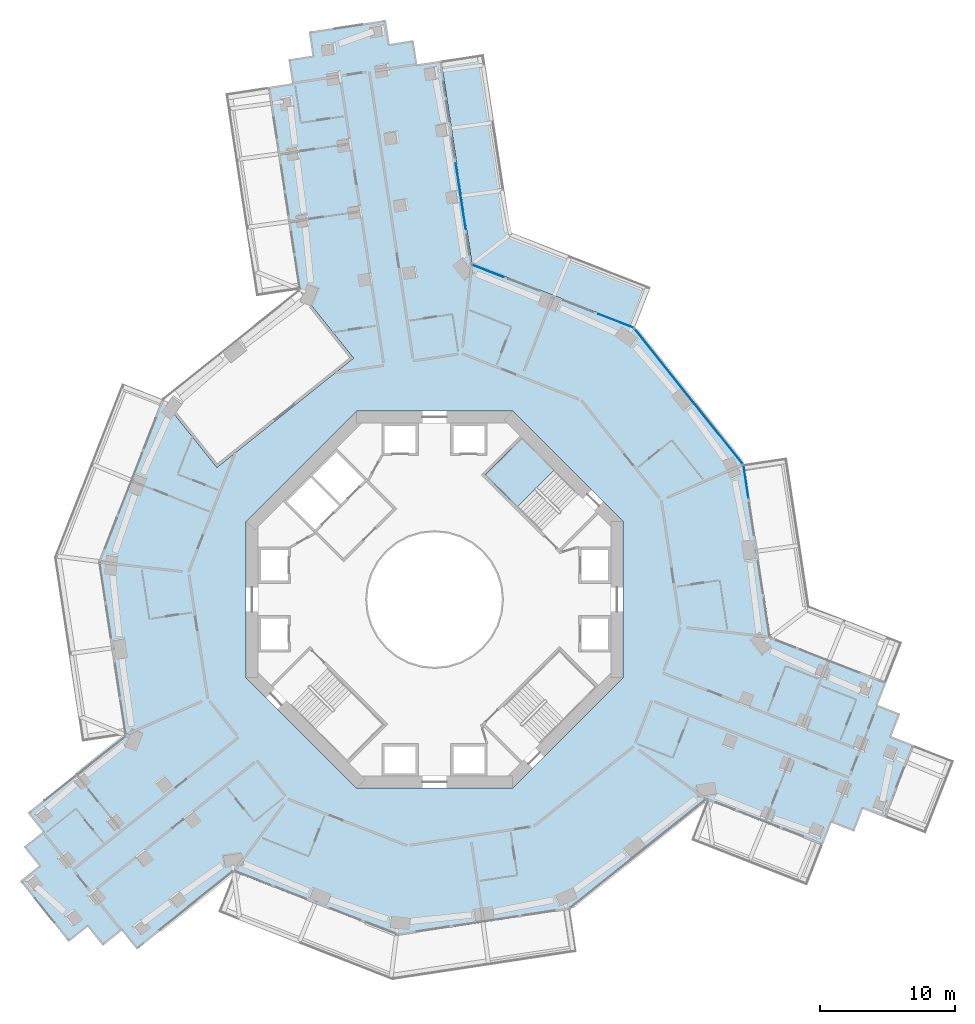
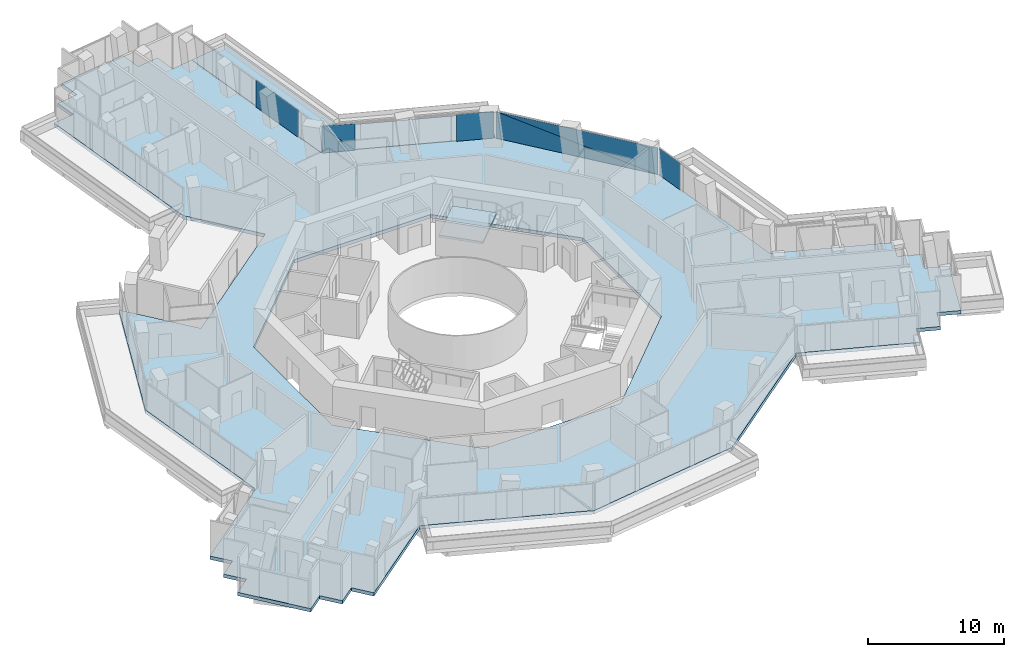
# One storey, part 17 of 28: 7 plates, 3 slabs, 5 elements without a shape of their own.
"""IFC4 building model written with IfcOpenShell, lengths in metres."""

from ifc_helpers import new_model, si_unit, direction, frame, origin, origin_2d, place, context, subcontext, project, spatial, polyline, rectangle, outline, extrude, material, layer, layer_set, type_object, element, aggregate, save


model = new_model("IFC4")

# Units and contexts
model_context = context("Model", 3, precision=1e-05, world=origin(), true_north=direction((0.0, 1.0)))
body_context = subcontext(model_context, "Body", "Model", "MODEL_VIEW")
ifc_project = project(units=[si_unit("LENGTHUNIT", "METRE"), si_unit("AREAUNIT", "SQUARE_METRE"), si_unit("VOLUMEUNIT", "CUBIC_METRE"), si_unit("PLANEANGLEUNIT", "RADIAN"), si_unit("MASSUNIT", "GRAM", prefix="KILO")], contexts=[model_context])

# Site, building, storey
site_placement = place(None, origin())
site = spatial("IfcSite", under=ifc_project, at=site_placement, CompositionType="ELEMENT")
building_placement = place(site_placement, origin())
building = spatial("IfcBuilding", under=site, at=building_placement, Name="Verdalira Terraces Hotel", CompositionType="ELEMENT")
storey_placement = place(building_placement, frame((0.0, 0.0, 68.0)))
storey = spatial("IfcBuildingStorey", under=building, at=storey_placement, Name="L15", CompositionType="ELEMENT", Elevation=68.0)

# Slab
ifc_material_1 = material(Name="Precast concrete C40/50", Category="concrete")
ifc_layer_1 = layer(ifc_material_1, 0.31005859375)
ifc_layer_set_1 = layer_set([ifc_layer_1], Name="Balcony deck 310")
slab_type_1 = type_object("IfcSlabType", Name="Balcony deck 310", PredefinedType="FLOOR", material=ifc_layer_set_1)
slab_1_placement = place(storey_placement, frame((0.0, 0.0, -0.310059)))
element("IfcSlab", 1, at=slab_1_placement, inside=storey, type_object=slab_type_1, Name="Balcony deck", PredefinedType="FLOOR", context=body_context, shape_type="SweptSolid", body=[
    extrude(outline(polyline([(3.656494, 40.505127), (0.49292, 40.024414), (2.781982, 24.959473), (14.88916, 20.224609), (16.054688, 23.204834), (5.668213, 27.266846), (3.656494, 40.505127)])), origin(), (0.0, 0.0, 1.0), 0.310059),
])

# Curtain wall, plate
ifc_material_2 = material(Name="Clear glass", Category="glass")
ifc_layer_2 = layer(ifc_material_2, 0.14990234375)
ifc_layer_set_2 = layer_set([ifc_layer_2], Name="CW1 curtain wall")
curtain_wall_type_1 = type_object("IfcCurtainWallType", Name="CW1 curtain wall", PredefinedType="NOTDEFINED", material=ifc_layer_set_2)
curtain_wall_1_placement = place(storey_placement, origin())
curtain_wall_1 = element("IfcCurtainWall", 2, at=curtain_wall_1_placement, inside=storey, type_object=curtain_wall_type_1, Name="CW1 curtain wall L15 edge 39", PredefinedType="NOTDEFINED")
ifc_material_3 = material(Name="Clear glass", Category="glass")
ifc_layer_3 = layer(ifc_material_3, 0.028076171875)
ifc_layer_set_3 = layer_set([ifc_layer_3], Name="CW1 glass unit 28")
plate_type_1 = type_object("IfcPlateType", Name="CW1 glass unit 28", PredefinedType="CURTAIN_PANEL", material=ifc_layer_set_3)
plate_1_placement = place(storey_placement, frame((23.130615, 8.754395, 0.0), z_axis=(0.0, 0.0, 1.0), x_axis=(-0.150225589, 0.988651745, 0.0)))
plate_1 = element("IfcPlate", 3, at=plate_1_placement, type_object=plate_type_1, Name="CW1 glass unit", PredefinedType="CURTAIN_PANEL", context=body_context, shape_type="SweptSolid", body=[
    extrude(rectangle(XDim=2.439209, YDim=0.028076, at=origin_2d()), origin(), (0.0, 0.0, 1.0), 2.425049),
])
aggregate(curtain_wall_1, [plate_1])

# Curtain wall, plates
curtain_wall_2_placement = place(storey_placement, origin())
curtain_wall_2 = element("IfcCurtainWall", 4, at=curtain_wall_2_placement, inside=storey, type_object=curtain_wall_type_1, Name="CW1 curtain wall L15 edge 40", PredefinedType="NOTDEFINED")
plate_2_placement = place(storey_placement, frame((18.878174, 15.091797, 1.212402), z_axis=(0.781084732, 0.624425049, 0.0), x_axis=(-0.624425049, 0.781084732, 0.0)))
plate_2 = element("IfcPlate", 5, at=plate_2_placement, type_object=plate_type_1, Name="CW1 glass unit", PredefinedType="CURTAIN_PANEL", context=body_context, shape_type="SweptSolid", body=[
    extrude(outline(polyline([(-6.399902, -1.212402), (6.399902, -1.212402), (6.399902, 1.212402), (-6.399902, -1.212402)])), origin(), (0.0, 0.0, 1.0), 0.028076),
])
plate_3_placement = place(storey_placement, frame((18.855469, 15.07373, 1.212402), z_axis=(0.781084732, 0.624425049, 0.0), x_axis=(-0.624425049, 0.781084732, 0.0)))
plate_3 = element("IfcPlate", 6, at=plate_3_placement, type_object=plate_type_1, Name="CW1 glass unit", PredefinedType="CURTAIN_PANEL", context=body_context, shape_type="SweptSolid", body=[
    extrude(outline(polyline([(-6.399902, -1.212402), (6.399902, 1.212402), (-6.399902, 1.212402), (-6.399902, -1.212402)])), origin(), (0.0, 0.0, 1.0), 0.028076),
])
aggregate(curtain_wall_2, [plate_2, plate_3])

curtain_wall_3_placement = place(storey_placement, origin())
curtain_wall_3 = element("IfcCurtainWall", 7, at=curtain_wall_3_placement, inside=storey, type_object=curtain_wall_type_1, Name="CW1 curtain wall L15 edge 41", PredefinedType="NOTDEFINED")
plate_4_placement = place(storey_placement, frame((13.4646, 20.701172, 0.0), z_axis=(0.0, 0.0, 1.0), x_axis=(-0.931310321, 0.364226696, 0.0)))
plate_4 = element("IfcPlate", 8, at=plate_4_placement, type_object=plate_type_1, Name="CW1 glass unit", PredefinedType="CURTAIN_PANEL", context=body_context, shape_type="SweptSolid", body=[
    extrude(rectangle(XDim=2.799805, YDim=0.028076, at=origin_2d()), origin(), (0.0, 0.0, 1.0), 2.425049),
])
plate_5_placement = place(storey_placement, frame((3.959961, 24.403076, 1.212402), z_axis=(0.364226696, 0.931310321, 0.0), x_axis=(-0.931310321, 0.364226696, 0.0)))
plate_5 = element("IfcPlate", 9, at=plate_5_placement, type_object=plate_type_1, Name="CW1 glass unit", PredefinedType="CURTAIN_PANEL", context=body_context, shape_type="SweptSolid", body=[
    extrude(outline(polyline([(-1.239746, -1.212402), (1.239746, -1.212402), (1.239746, 1.212402), (-1.239746, -1.212402)])), origin(), (0.0, 0.0, 1.0), 0.028076),
])
plate_6_placement = place(storey_placement, frame((3.949463, 24.376221, 1.212402), z_axis=(0.364226696, 0.931310321, 0.0), x_axis=(-0.931310321, 0.364226696, 0.0)))
plate_6 = element("IfcPlate", 10, at=plate_6_placement, type_object=plate_type_1, Name="CW1 glass unit", PredefinedType="CURTAIN_PANEL", context=body_context, shape_type="SweptSolid", body=[
    extrude(outline(polyline([(-1.239746, -1.212402), (1.239746, 1.212402), (-1.239746, 1.212402), (-1.239746, -1.212402)])), origin(), (0.0, 0.0, 1.0), 0.028076),
])
aggregate(curtain_wall_3, [plate_4, plate_5, plate_6])

# Curtain wall, plate
ifc_material_4 = material(Name="Clear glass", Category="glass")
ifc_layer_4 = layer(ifc_material_4, 0.14990234375)
ifc_layer_set_4 = layer_set([ifc_layer_4], Name="CW2 curtain wall")
curtain_wall_type_2 = type_object("IfcCurtainWallType", Name="CW2 curtain wall", PredefinedType="NOTDEFINED", material=ifc_layer_set_4)
curtain_wall_4_placement = place(storey_placement, origin())
curtain_wall_4 = element("IfcCurtainWall", 11, at=curtain_wall_4_placement, inside=storey, type_object=curtain_wall_type_2, Name="CW2 curtain wall L15 edge 0", PredefinedType="NOTDEFINED")
ifc_material_5 = material(Name="Clear glass", Category="glass")
ifc_layer_5 = layer(ifc_material_5, 0.031982421875)
ifc_layer_set_5 = layer_set([ifc_layer_5], Name="CW2 glass unit 32")
plate_type_2 = type_object("IfcPlateType", Name="CW2 glass unit 32", PredefinedType="CURTAIN_PANEL", material=ifc_layer_set_5)
plate_7_placement = place(storey_placement, frame((1.948242, 29.947021, 0.0), z_axis=(0.0, 0.0, 1.0), x_axis=(-0.150225589, 0.988651745, 0.0)))
plate_7 = element("IfcPlate", 12, at=plate_7_placement, type_object=plate_type_2, Name="CW2 glass unit", PredefinedType="CURTAIN_PANEL", context=body_context, shape_type="SweptSolid", body=[
    extrude(rectangle(XDim=4.968506, YDim=0.031982, at=origin_2d()), origin(), (0.0, 0.0, 1.0), 2.425049),
])
aggregate(curtain_wall_4, [plate_7])

# Stair, slab
ifc_material_6 = material(Name="Concrete C40", Category="concrete")
stair_type = type_object("IfcStairType", Name="Core stair 20 risers 1900 mm wide", PredefinedType="HALF_TURN_STAIR", material=ifc_material_6)
stair_placement = place(storey_placement, origin())
stair = element("IfcStair", 13, at=stair_placement, inside=storey, type_object=stair_type, Name="L15 Exit stair ST1", PredefinedType="HALF_TURN_STAIR")
ifc_material_7 = material(Name="Concrete C40", Category="concrete")
ifc_layer_6 = layer(ifc_material_7, 0.199951171875)
ifc_layer_set_6 = layer_set([ifc_layer_6], Name="Core stair landing 200 mm")
slab_type_2 = type_object("IfcSlabType", Name="Core stair landing 200 mm", PredefinedType="LANDING", material=ifc_layer_set_6)
slab_2_placement = place(storey_placement, frame((0.0, 0.0, 1.550049)))
slab_2 = element("IfcSlab", 14, at=slab_2_placement, type_object=slab_type_2, Name="ST1 landing 1", PredefinedType="LANDING", context=body_context, shape_type="SweptSolid", body=[
    extrude(outline(polyline([(8.895752, 9.630371), (6.505371, 12.020752), (3.747559, 9.263184), (6.137939, 6.872803), (8.895752, 9.630371)])), origin(), (0.0, 0.0, 1.0), 0.199951),
])
aggregate(stair, [slab_2])

# Slab
ifc_material_8 = material(Name="Concrete C40", Category="concrete")
ifc_layer_7 = layer(ifc_material_8, 0.31005859375)
ifc_layer_set_7 = layer_set([ifc_layer_7], Name="Floor slab 310 C40")
slab_type_3 = type_object("IfcSlabType", Name="Floor slab 310 C40", PredefinedType="FLOOR", material=ifc_layer_set_7)
slab_3_placement = place(storey_placement, frame((0.0, 0.0, -0.310059)))
element("IfcSlab", 15, at=slab_3_placement, inside=storey, type_object=slab_type_3, Name="Floor slab L15", PredefinedType="FLOOR", context=body_context, shape_type="SweptSolid", body=[
    extrude(outline(polyline([(-10.580078, 38.341797), (-12.359619, 38.071533), (-10.070557, 23.00708), (-10.070312, 23.007324), (-6.010986, 17.929443), (-16.166016, 9.811279), (-20.224854, 14.888428), (-24.959473, 2.781982), (-23.006592, -10.070557), (-30.222168, -15.838867), (-29.098145, -17.244873), (-30.50415, -18.368652), (-29.380127, -19.774658), (-30.786133, -20.898682), (-27.164307, -25.428955), (-25.758545, -24.304932), (-24.634521, -25.710938), (-23.228516, -24.586914), (-22.104492, -25.99292), (-14.888916, -20.224609), (-2.781982, -24.959473), (10.070557, -23.006592), (20.224609, -14.888916), (28.827881, -18.253662), (29.483398, -16.577393), (31.159912, -17.23291), (31.81543, -15.556641), (33.491699, -16.212158), (35.604248, -10.810547), (33.927979, -10.155029), (34.583496, -8.47876), (32.907227, -7.822998), (33.562744, -6.146729), (24.959473, -2.781982), (23.006592, 10.070557), (14.888916, 20.224609), (2.781982, 24.959473), (0.49292, 40.024414), (-1.286621, 39.753906), (-1.557129, 41.533691), (-3.33667, 41.263184), (-3.607178, 43.042725), (-9.341309, 42.171387), (-9.070801, 40.391846), (-10.850342, 40.121582), (-10.580078, 38.341797)]), holes=[polyline([(5.799072, 14.0), (14.0, 5.799072), (14.0, -5.799072), (5.799072, -14.0), (-5.799072, -14.0), (-14.0, -5.799072), (-14.0, 5.799072), (-5.799072, 14.0), (5.799072, 14.0)])]), origin(), (0.0, 0.0, 1.0), 0.310059),
])

save(model, "model.ifc")
